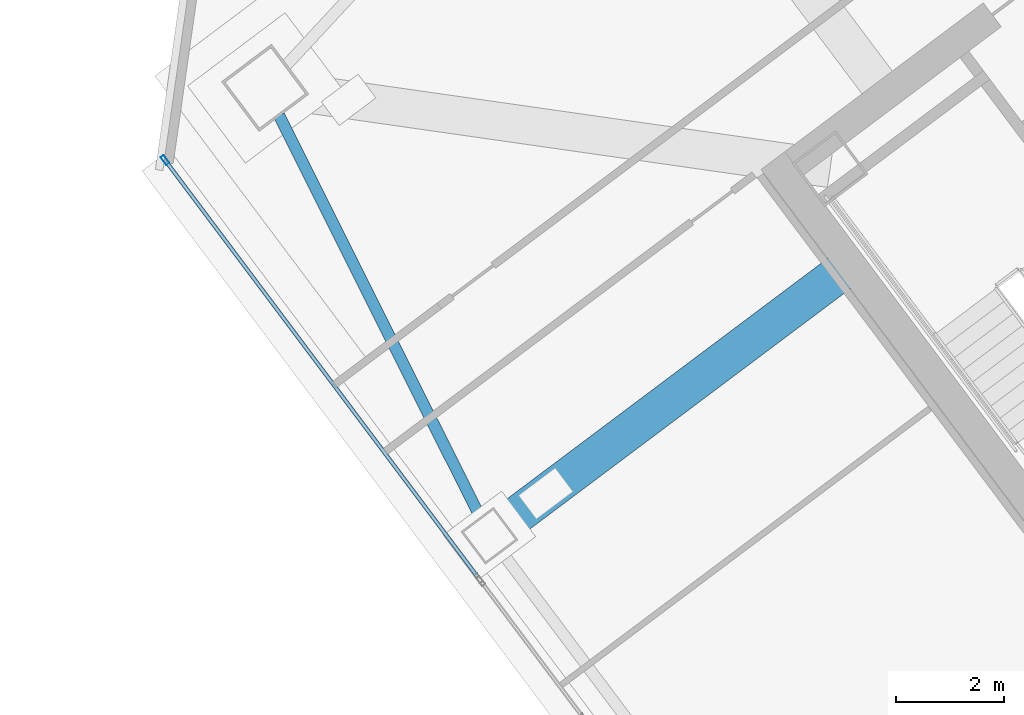
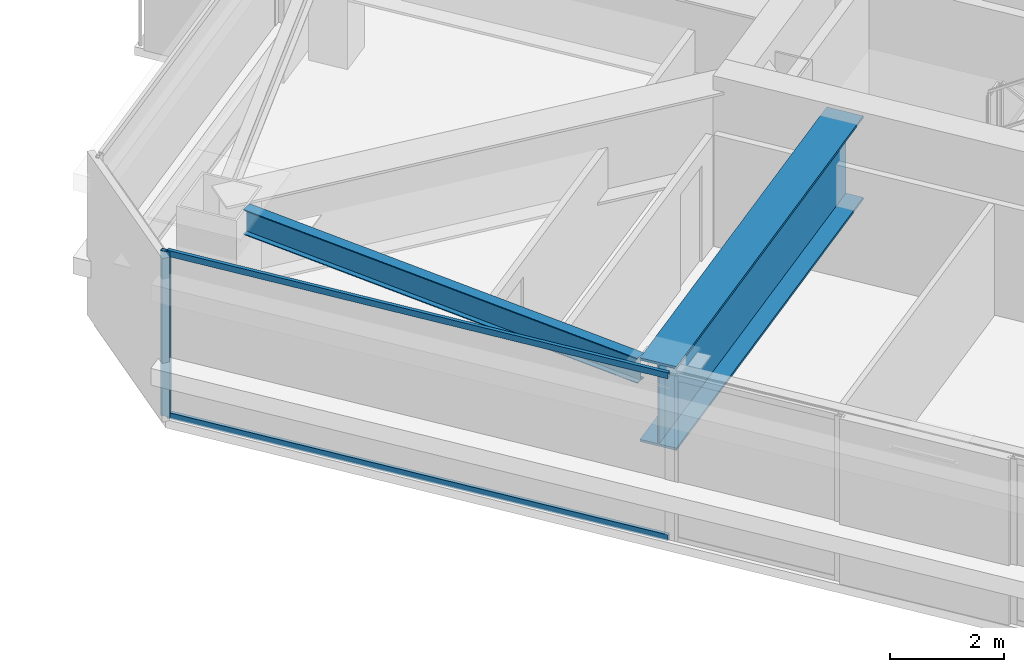
# One storey, part 21 of 42: 3 members, 2 beams, 1 element without a shape of its own.
"""IFC4 building model written with IfcOpenShell, lengths in metres."""

from ifc_helpers import new_model, si_unit, direction, frame, origin, origin_2d, place, context, subcontext, project, spatial, hollow_rectangle, i_section, extrude, material, material_profile, profile_set, type_object, element, aggregate, save


model = new_model("IFC4")

# Units and contexts
model_context = context("Model", 3, precision=1e-05, world=origin(), true_north=direction((0.0, 1.0)))
body_context = subcontext(model_context, "Body", "Model", "MODEL_VIEW")
ifc_project = project(units=[si_unit("LENGTHUNIT", "METRE"), si_unit("AREAUNIT", "SQUARE_METRE"), si_unit("VOLUMEUNIT", "CUBIC_METRE"), si_unit("PLANEANGLEUNIT", "RADIAN"), si_unit("MASSUNIT", "GRAM", prefix="KILO")], contexts=[model_context])

# Site, building, storey
site_placement = place(None, origin())
site = spatial("IfcSite", under=ifc_project, at=site_placement, CompositionType="ELEMENT")
building_placement = place(site_placement, origin())
building = spatial("IfcBuilding", under=site, at=building_placement, Name="Tashvorn Skyway Center", CompositionType="ELEMENT")
storey_placement = place(building_placement, frame((0.0, 0.0, 196.050048828125)))
storey = spatial("IfcBuildingStorey", under=building, at=storey_placement, Name="L53", CompositionType="ELEMENT", Elevation=196.050048828125)

# Beams
ifc_material_1 = material(Name="Steel ASTM A572 Grade 50", Category="steel")
ifc_material_profile_1 = material_profile(ifc_material_1, i_section(OverallWidth=0.699951171875, OverallDepth=1.800048828125, WebThickness=0.031982421875, FlangeThickness=0.050048828125, at=origin_2d()), Name="PG1800x700")
ifc_profile_set_1 = profile_set([ifc_material_profile_1], Name="Steel ASTM A572 Grade 50")
beam_type_1 = type_object("IfcBeamType", Name="BM-BEAM-PG1800x700", PredefinedType="BEAM", material=ifc_profile_set_1)
beam_1_placement = place(storey_placement, frame((97.840087890625, 26.6298828125, 2.349853515625), z_axis=(0.799978998092, 0.600028001523, 0.0), x_axis=(-0.600028001523, 0.799978998092, 0.0)))
element("IfcBeam", 1, at=beam_1_placement, inside=storey, type_object=beam_type_1, Name="Tower 2 L53 Setback Transfer Girder FC-W1", PredefinedType="BEAM", context=body_context, shape_type="SweptSolid", body=[
    extrude(i_section(OverallWidth=0.699951171875, OverallDepth=1.800048828125, WebThickness=0.031982421875, FlangeThickness=0.050048828125, at=origin_2d()), origin(), (0.0, 0.0, 1.0), 8.369873046875),
])
ifc_material_2 = material(Name="Steel ASTM A992 Grade 50", Category="steel")
ifc_material_profile_2 = material_profile(ifc_material_2, i_section(OverallWidth=0.2109375, OverallDepth=0.5390625, WebThickness=0.01171875, FlangeThickness=0.018798828125, at=origin_2d()), Name="W21X73")
ifc_profile_set_2 = profile_set([ifc_material_profile_2], Name="Steel ASTM A992 Grade 50")
beam_type_2 = type_object("IfcBeamType", Name="BM-SPANDREL-W21X73", PredefinedType="SPANDREL", material=ifc_profile_set_2)
beam_2_placement = place(storey_placement, frame((93.955078125, 34.390380859375, 2.98046875), z_axis=(0.447648438059, -0.894209637559, 0.0), x_axis=(0.894209637559, 0.447648438059, 0.0)))
element("IfcBeam", 2, at=beam_2_placement, inside=storey, type_object=beam_type_2, Name="Tower 2 L53 Spandrel Beam 10", PredefinedType="SPANDREL", context=body_context, shape_type="SweptSolid", body=[
    extrude(i_section(OverallWidth=0.2109375, OverallDepth=0.5390625, WebThickness=0.01171875, FlangeThickness=0.018798828125, at=origin_2d()), origin(), (0.0, 0.0, 1.0), 8.308349609375),
])

# Curtain wall, members
ifc_material_3 = material(Name="Thermally broken bronze-anodized aluminium 6063-T6", Category="aluminium")
curtain_wall_type = type_object("IfcCurtainWallType", Name="CW-CW-Z4", PredefinedType="NOTDEFINED", material=ifc_material_3)
curtain_wall_placement = place(storey_placement, origin())
curtain_wall = element("IfcCurtainWall", 3, at=curtain_wall_placement, inside=storey, type_object=curtain_wall_type, Name="Tower 2 L53 West Unitised Curtain Wall Glazing Group 4", PredefinedType="NOTDEFINED")
ifc_material_profile_3 = material_profile(ifc_material_3, hollow_rectangle(XDim=0.070068359375, YDim=0.179931640625, WallThickness=0.00390625, at=origin_2d()), Name="ALU-MULL-70x180")
ifc_profile_set_3 = profile_set([ifc_material_profile_3], Name="Thermally broken bronze-anodized aluminium 6063-T6")
member_type_1 = type_object("IfcMemberType", Name="CWM-CW-Z4", PredefinedType="MULLION", material=ifc_profile_set_3)
member_1_placement = place(storey_placement, frame((91.84912109375, 33.568115234375, 0.0), z_axis=(0.0, 0.0, 1.0), x_axis=(-0.799999999998, -0.600000000002, 0.0)))
member_1 = element("IfcMember", 4, at=member_1_placement, type_object=member_type_1, Name="CW-Z4 mullion 2", PredefinedType="MULLION", context=body_context, shape_type="SweptSolid", body=[
    extrude(hollow_rectangle(XDim=0.070068359375, YDim=0.179931640625, WallThickness=0.00390625, at=origin_2d()), origin(), (0.0, 0.0, 1.0), 3.550048828125),
])
ifc_material_profile_4 = material_profile(ifc_material_3, hollow_rectangle(XDim=0.070068359375, YDim=0.1298828125, WallThickness=0.00390625, at=origin_2d()), Name="ALU-TRAN-70x130")
ifc_profile_set_4 = profile_set([ifc_material_profile_4], Name="Thermally broken bronze-anodized aluminium 6063-T6")
member_type_2 = type_object("IfcMemberType", Name="CWT-CW-Z4", PredefinedType="USERDEFINED", material=ifc_profile_set_4)
member_2_placement = place(storey_placement, frame((97.617919921875, 25.8759765625, 0.034912109375), z_axis=(-0.599983689738, 0.800012232437, 0.0), x_axis=(-0.800012232437, -0.599983689738, 0.0)))
member_2 = element("IfcMember", 5, at=member_2_placement, type_object=member_type_2, Name="CW-Z4 transom 1.1", ObjectType="TRANSOM", PredefinedType="USERDEFINED", context=body_context, shape_type="SweptSolid", body=[
    extrude(hollow_rectangle(XDim=0.070068359375, YDim=0.1298828125, WallThickness=0.00390625, at=origin_2d()), origin(), (0.0, 0.0, 1.0), 9.579833984375),
])
member_3_placement = place(storey_placement, frame((97.617919921875, 25.8759765625, 3.514892578125), z_axis=(-0.599983689738, 0.800012232437, 0.0), x_axis=(-0.800012232437, -0.599983689738, 0.0)))
member_3 = element("IfcMember", 6, at=member_3_placement, type_object=member_type_2, Name="CW-Z4 transom 1.2", ObjectType="TRANSOM", PredefinedType="USERDEFINED", context=body_context, shape_type="SweptSolid", body=[
    extrude(hollow_rectangle(XDim=0.070068359375, YDim=0.1298828125, WallThickness=0.00390625, at=origin_2d()), origin(), (0.0, 0.0, 1.0), 9.579833984375),
])
aggregate(curtain_wall, [member_1, member_2, member_3])

save(model, "model.ifc")
